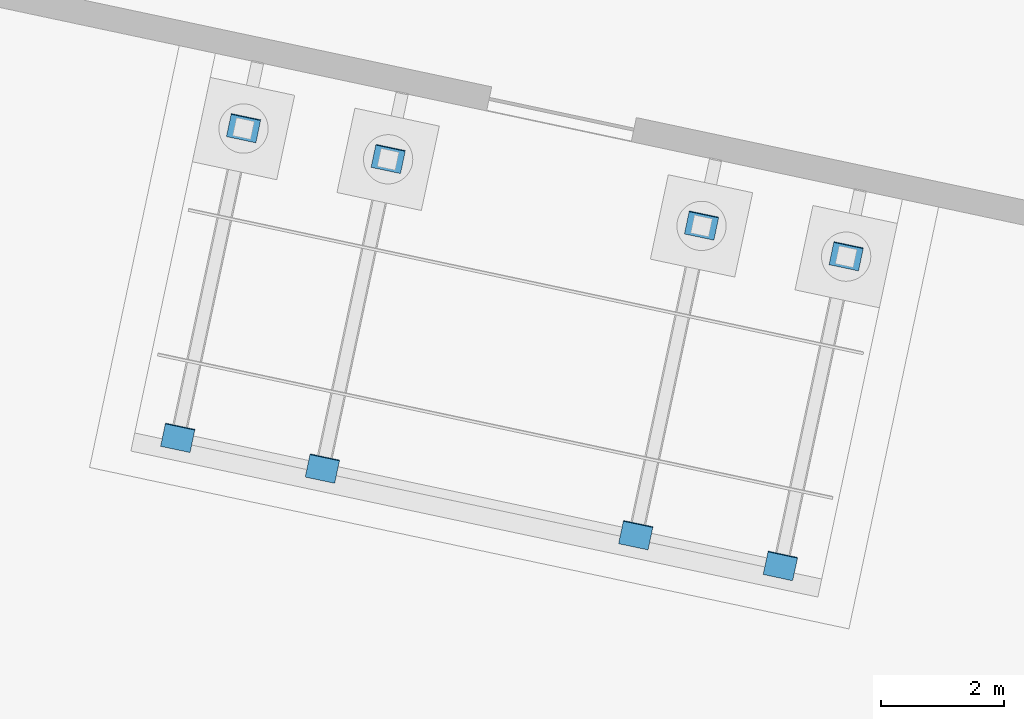
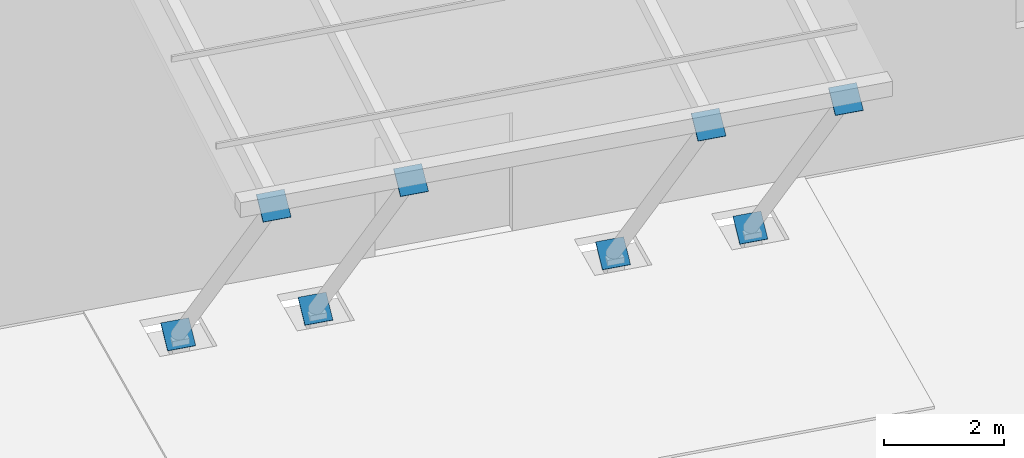
# One storey, part 200 of 239: 8 discrete accessories.
"""IFC4 building model written with IfcOpenShell, lengths in metres."""

from ifc_helpers import new_model, si_unit, direction, frame, origin, origin_2d, place, context, subcontext, project, spatial, rectangle, extrude, material, layer, layer_set, type_object, element, save


model = new_model("IFC4")

# Units and contexts
model_context = context("Model", 3, precision=1e-05, world=origin(), true_north=direction((0.0, 1.0)))
body_context = subcontext(model_context, "Body", "Model", "MODEL_VIEW")
ifc_project = project(units=[si_unit("LENGTHUNIT", "METRE"), si_unit("AREAUNIT", "SQUARE_METRE"), si_unit("VOLUMEUNIT", "CUBIC_METRE"), si_unit("PLANEANGLEUNIT", "RADIAN"), si_unit("MASSUNIT", "GRAM", prefix="KILO")], contexts=[model_context])

# Site, building, storey
site_placement = place(None, origin())
site = spatial("IfcSite", under=ifc_project, at=site_placement, CompositionType="ELEMENT")
building_placement = place(site_placement, origin())
building = spatial("IfcBuilding", under=site, at=building_placement, Name="Okhra Congress Centre", CompositionType="ELEMENT")
storey_placement = place(building_placement, origin())
storey = spatial("IfcBuildingStorey", under=building, at=storey_placement, Name="L00", CompositionType="ELEMENT", Elevation=0.0)

# Discrete accessories
ifc_material = material(Name="Steel S355J2", Category="steel")
ifc_layer = layer(ifc_material, 0.02001953125)
ifc_layer_set = layer_set([ifc_layer], Name="Brace end connection plate 20 mm S355")
discrete_accessory_type = type_object("IfcDiscreteAccessoryType", Name="Brace end connection plate 20 mm S355", PredefinedType="BRACKET", material=ifc_layer_set)
for number, where, z_axis, x_axis, name in (
    (1, (225.879638671875, 86.840087890625, -0.02197265625), (0.134698365701, 0.636755910588, -0.759208970316), (-0.978349703119, 0.206958591044, 0.0), "Brace end connection plate"),
    (2, (224.81396484375, 81.8271484375, 5.99462890625), (-0.1334534833, -0.630871011963, 0.764324495263), (0.978349703119, -0.206958591044, 0.0), "Brace end connection plate"),
    (3, (228.22705078125, 86.341064453125, -0.02197265625), (0.134698365701, 0.636755910588, -0.759208970316), (-0.978349703119, 0.206958591044, 0.0), "Brace end connection plate"),
    (4, (227.16162109375, 81.328125, 5.99462890625), (-0.1334534833, -0.630871011963, 0.764324495263), (0.978349703119, -0.206958591044, 0.0), "Brace end connection plate"),
    (5, (233.3134765625, 85.260009765625, -0.02197265625), (0.134698365701, 0.636755910588, -0.759208970316), (-0.978349703119, 0.206958591044, 0.0), "Brace end connection plate"),
    (6, (232.248046875, 80.246826171875, 5.99462890625), (-0.1334534833, -0.630871011963, 0.764324495263), (0.978349703119, -0.206958591044, 0.0), "Brace end connection plate"),
    (7, (235.6611328125, 84.760986328125, -0.02197265625), (0.134698365701, 0.636755910588, -0.759208970316), (-0.978349703119, 0.206958591044, 0.0), "Brace end connection plate"),
    (8, (234.595458984375, 79.747802734375, 5.99462890625), (-0.134476739342, -0.623483064221, 0.770184961685), (0.977521044082, -0.210837872253, 0.0), "Brace end connection plate"),
):
    element("IfcDiscreteAccessory", number, at=place(storey_placement, frame(where, z_axis=z_axis, x_axis=x_axis)), inside=storey, type_object=discrete_accessory_type, Name=name, PredefinedType="BRACKET", context=body_context, shape_type="SweptSolid", body=[
        extrude(rectangle(XDim=0.489013671875, YDim=0.489013671875, at=origin_2d()), origin(), (0.0, 0.0, 1.0), 0.02001953125),
    ])

save(model, "model.ifc")
